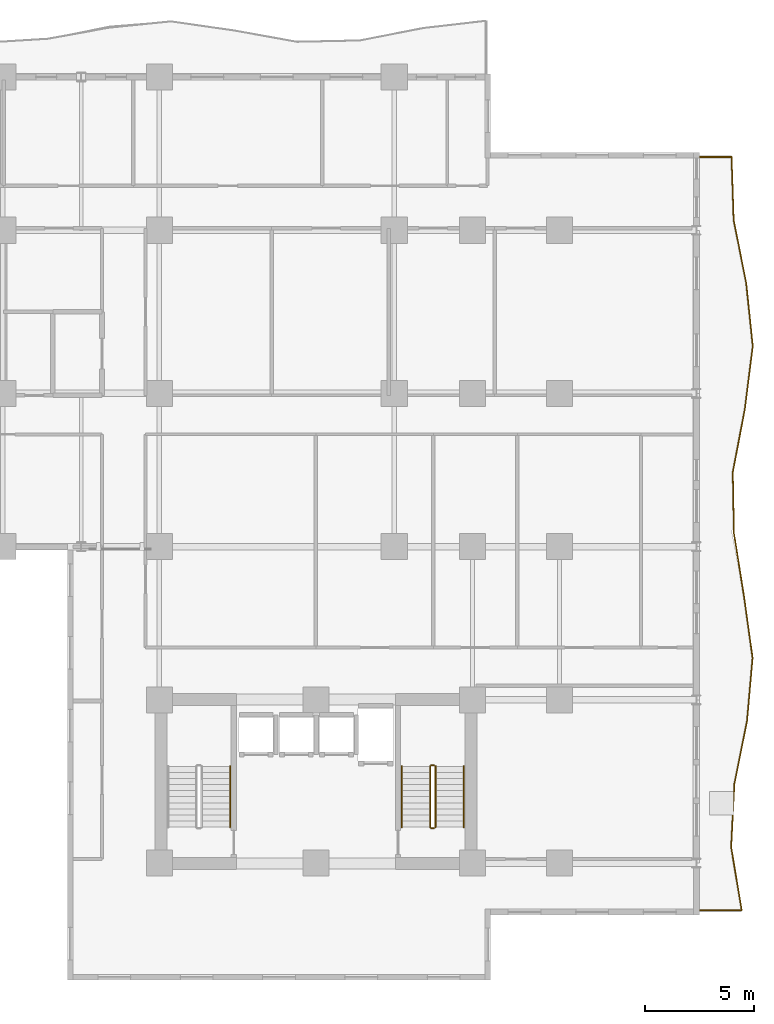
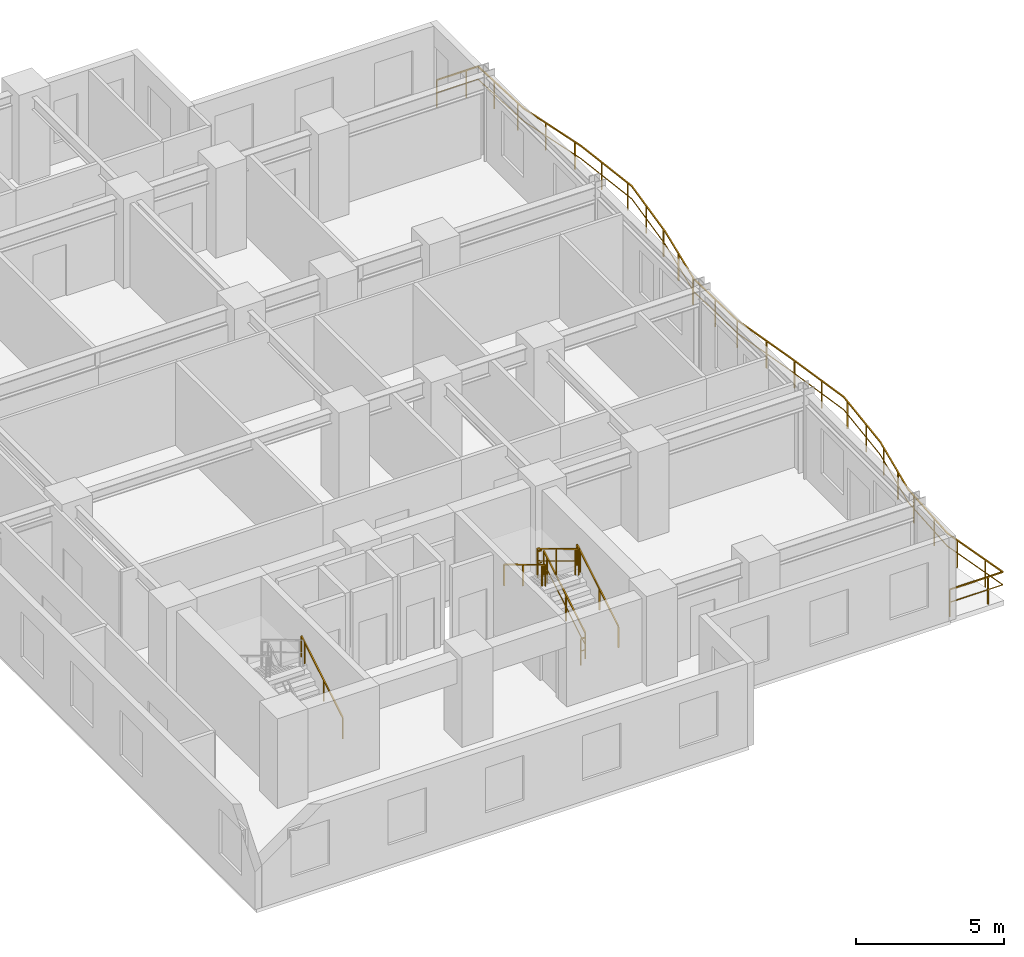
# One storey, part 10 of 11: 8 railings.
"""IFC4 building model written with IfcOpenShell, lengths in metres."""

from ifc_helpers import new_model, si_unit, direction, frame, origin, origin_2d, place, context, subcontext, project, spatial, rectangle, extrude, material, type_object, element, save


model = new_model("IFC4")

# Units and contexts
model_context = context("Model", 3, precision=1e-05, world=origin(), true_north=direction((0.0, 1.0)))
body_context = subcontext(model_context, "Body", "Model", "MODEL_VIEW")
ifc_project = project(units=[si_unit("LENGTHUNIT", "METRE"), si_unit("AREAUNIT", "SQUARE_METRE"), si_unit("VOLUMEUNIT", "CUBIC_METRE"), si_unit("PLANEANGLEUNIT", "RADIAN"), si_unit("MASSUNIT", "GRAM", prefix="KILO")], contexts=[model_context])

# Site, building, storey
site_placement = place(None, origin())
site = spatial("IfcSite", under=ifc_project, at=site_placement, CompositionType="ELEMENT")
building_placement = place(site_placement, origin())
building = spatial("IfcBuilding", under=site, at=building_placement, Name="Kaliganga Portal Commons", CompositionType="ELEMENT")
storey_placement = place(building_placement, frame((0.0, 0.0, 111.89990234375)))
storey = spatial("IfcBuildingStorey", under=building, at=storey_placement, Name="L28", CompositionType="ELEMENT", Elevation=111.89990234375)

# Railings
ifc_material_1 = material(Name="Laminated Safety Glass and Stainless Steel 316", Category="steel")
railing_type_1 = type_object("IfcRailingType", Name="RLG-BAL-1150", PredefinedType="BALUSTRADE", material=ifc_material_1)
railing_1_placement = place(storey_placement, frame((60.7080078125, 4.879638671875, 0.0)))
element("IfcRailing", 1, at=railing_1_placement, inside=storey, type_object=railing_type_1, Name="Balcony Guardrail L28 balc_east", PredefinedType="BALUSTRADE", context=body_context, shape_type="SweptSolid", body=[
    extrude(rectangle(XDim=0.048095703125, YDim=0.048095703125, at=origin_2d()), frame((0.0, 0.0, 1.1259765625), z_axis=(0.999999993065, 0.000117771758, 0.0), x_axis=(-0.000117771758, 0.999999993065, 0.0)), (0.0, 0.0, 1.0), 2.072998046875),
    extrude(rectangle(XDim=0.028076171875, YDim=0.028076171875, at=origin_2d()), frame((0.0, 0.0, 0.597900390625), z_axis=(0.999999993065, 0.000117771758, 0.0), x_axis=(-0.000117771758, 0.999999993065, 0.0)), (0.0, 0.0, 1.0), 2.072998046875),
    extrude(rectangle(XDim=0.048095703125, YDim=0.048095703125, at=origin_2d()), frame((2.072998046875, 0.000244140625, 1.1259765625), z_axis=(-0.164250862083, 0.986418599939, 0.0), x_axis=(-0.986418599939, -0.164250862083, 0.0)), (0.0, 0.0, 1.0), 2.940185546875),
    extrude(rectangle(XDim=0.028076171875, YDim=0.028076171875, at=origin_2d()), frame((2.072998046875, 0.000244140625, 0.597900390625), z_axis=(-0.164250862083, 0.986418599939, 0.0), x_axis=(-0.986418599939, -0.164250862083, 0.0)), (0.0, 0.0, 1.0), 2.940185546875),
    extrude(rectangle(XDim=0.048095703125, YDim=0.048095703125, at=origin_2d()), frame((1.590087890625, 2.900390625, 1.1259765625), z_axis=(0.050281493622, 0.998735085695, 0.0), x_axis=(-0.998735085695, 0.050281493622, 0.0)), (0.0, 0.0, 1.0), 2.903564453125),
    extrude(rectangle(XDim=0.028076171875, YDim=0.028076171875, at=origin_2d()), frame((1.590087890625, 2.900390625, 0.597900390625), z_axis=(0.050281493622, 0.998735085695, 0.0), x_axis=(-0.998735085695, 0.050281493622, 0.0)), (0.0, 0.0, 1.0), 2.903564453125),
    extrude(rectangle(XDim=0.048095703125, YDim=0.048095703125, at=origin_2d()), frame((1.736083984375, 5.80029296875, 1.1259765625), z_axis=(0.196862129019, 0.980431181755, 0.0), x_axis=(-0.980431181755, 0.196862129019, 0.0)), (0.0, 0.0, 1.0), 2.957763671875),
    extrude(rectangle(XDim=0.028076171875, YDim=0.028076171875, at=origin_2d()), frame((1.736083984375, 5.80029296875, 0.597900390625), z_axis=(0.196862129019, 0.980431181755, 0.0), x_axis=(-0.980431181755, 0.196862129019, 0.0)), (0.0, 0.0, 1.0), 2.957763671875),
    extrude(rectangle(XDim=0.048095703125, YDim=0.048095703125, at=origin_2d()), frame((2.318359375, 8.7001953125, 1.1259765625), z_axis=(0.08815328178, 0.996106921425, 0.0), x_axis=(-0.996106921425, 0.08815328178, 0.0)), (0.0, 0.0, 1.0), 2.91064453125),
    extrude(rectangle(XDim=0.028076171875, YDim=0.028076171875, at=origin_2d()), frame((2.318359375, 8.7001953125, 0.597900390625), z_axis=(0.08815328178, 0.996106921425, 0.0), x_axis=(-0.996106921425, 0.08815328178, 0.0)), (0.0, 0.0, 1.0), 2.91064453125),
    extrude(rectangle(XDim=0.048095703125, YDim=0.048095703125, at=origin_2d()), frame((2.574951171875, 11.599609375, 1.1259765625), z_axis=(-0.138245485222, 0.990397993645, 0.0), x_axis=(-0.990397993645, -0.138245485222, 0.0)), (0.0, 0.0, 1.0), 2.927978515625),
    extrude(rectangle(XDim=0.028076171875, YDim=0.028076171875, at=origin_2d()), frame((2.574951171875, 11.599609375, 0.597900390625), z_axis=(-0.138245485222, 0.990397993645, 0.0), x_axis=(-0.990397993645, -0.138245485222, 0.0)), (0.0, 0.0, 1.0), 2.927978515625),
    extrude(rectangle(XDim=0.048095703125, YDim=0.048095703125, at=origin_2d()), frame((2.170166015625, 14.49951171875, 1.1259765625), z_axis=(-0.158520410639, 0.987355700551, 0.0), x_axis=(-0.987355700551, -0.158520410639, 0.0)), (0.0, 0.0, 1.0), 2.85693359375),
    extrude(rectangle(XDim=0.028076171875, YDim=0.028076171875, at=origin_2d()), frame((2.170166015625, 14.49951171875, 0.597900390625), z_axis=(-0.158520410639, 0.987355700551, 0.0), x_axis=(-0.987355700551, -0.158520410639, 0.0)), (0.0, 0.0, 1.0), 2.85693359375),
    extrude(rectangle(XDim=0.048095703125, YDim=0.048095703125, at=origin_2d()), frame((1.71728515625, 17.3203125, 1.1259765625), z_axis=(-0.018782938097, 0.999823585057, 0.0), x_axis=(-0.999823585057, -0.018782938097, 0.0)), (0.0, 0.0, 1.0), 2.820556640625),
    extrude(rectangle(XDim=0.028076171875, YDim=0.028076171875, at=origin_2d()), frame((1.71728515625, 17.3203125, 0.597900390625), z_axis=(-0.018782938097, 0.999823585057, 0.0), x_axis=(-0.999823585057, -0.018782938097, 0.0)), (0.0, 0.0, 1.0), 2.820556640625),
    extrude(rectangle(XDim=0.048095703125, YDim=0.048095703125, at=origin_2d()), frame((1.664306640625, 20.140380859375, 1.1259765625), z_axis=(0.18728308531, 0.982305983875, 0.0), x_axis=(-0.982305983875, 0.18728308531, 0.0)), (0.0, 0.0, 1.0), 2.95263671875),
    extrude(rectangle(XDim=0.028076171875, YDim=0.028076171875, at=origin_2d()), frame((1.664306640625, 20.140380859375, 0.597900390625), z_axis=(0.18728308531, 0.982305983875, 0.0), x_axis=(-0.982305983875, 0.18728308531, 0.0)), (0.0, 0.0, 1.0), 2.95263671875),
    extrude(rectangle(XDim=0.048095703125, YDim=0.048095703125, at=origin_2d()), frame((2.21728515625, 23.040771484375, 1.1259765625), z_axis=(0.125206592581, 0.99213069158, 0.0), x_axis=(-0.99213069158, 0.125206592581, 0.0)), (0.0, 0.0, 1.0), 2.9228515625),
    extrude(rectangle(XDim=0.028076171875, YDim=0.028076171875, at=origin_2d()), frame((2.21728515625, 23.040771484375, 0.597900390625), z_axis=(0.125206592581, 0.99213069158, 0.0), x_axis=(-0.99213069158, 0.125206592581, 0.0)), (0.0, 0.0, 1.0), 2.9228515625),
    extrude(rectangle(XDim=0.048095703125, YDim=0.048095703125, at=origin_2d()), frame((2.583251953125, 25.940673828125, 1.1259765625), z_axis=(-0.103581923276, 0.994620925363, 0.0), x_axis=(-0.994620925363, -0.103581923276, 0.0)), (0.0, 0.0, 1.0), 2.91552734375),
    extrude(rectangle(XDim=0.028076171875, YDim=0.028076171875, at=origin_2d()), frame((2.583251953125, 25.940673828125, 0.597900390625), z_axis=(-0.103581923276, 0.994620925363, 0.0), x_axis=(-0.994620925363, -0.103581923276, 0.0)), (0.0, 0.0, 1.0), 2.91552734375),
    extrude(rectangle(XDim=0.048095703125, YDim=0.048095703125, at=origin_2d()), frame((2.28125, 28.840576171875, 1.1259765625), z_axis=(-0.195036222129, 0.980796039989, 0.0), x_axis=(-0.980796039989, -0.195036222129, 0.0)), (0.0, 0.0, 1.0), 2.956787109375),
    extrude(rectangle(XDim=0.028076171875, YDim=0.028076171875, at=origin_2d()), frame((2.28125, 28.840576171875, 0.597900390625), z_axis=(-0.195036222129, 0.980796039989, 0.0), x_axis=(-0.980796039989, -0.195036222129, 0.0)), (0.0, 0.0, 1.0), 2.956787109375),
    extrude(rectangle(XDim=0.048095703125, YDim=0.048095703125, at=origin_2d()), frame((1.70458984375, 31.740478515625, 1.1259765625), z_axis=(-0.033740670081, 0.999430621495, 0.0), x_axis=(-0.999430621495, -0.033740670081, 0.0)), (0.0, 0.0, 1.0), 2.901611328125),
    extrude(rectangle(XDim=0.028076171875, YDim=0.028076171875, at=origin_2d()), frame((1.70458984375, 31.740478515625, 0.597900390625), z_axis=(-0.033740670081, 0.999430621495, 0.0), x_axis=(-0.999430621495, -0.033740670081, 0.0)), (0.0, 0.0, 1.0), 2.901611328125),
    extrude(rectangle(XDim=0.048095703125, YDim=0.048095703125, at=origin_2d()), frame((1.606689453125, 34.640380859375, 1.1259765625), z_axis=(-0.999999953821, 0.000303905168, 0.0), x_axis=(-0.000303905168, -0.999999953821, 0.0)), (0.0, 0.0, 1.0), 1.606689453125),
    extrude(rectangle(XDim=0.028076171875, YDim=0.028076171875, at=origin_2d()), frame((1.606689453125, 34.640380859375, 0.597900390625), z_axis=(-0.999999953821, 0.000303905168, 0.0), x_axis=(-0.000303905168, -0.999999953821, 0.0)), (0.0, 0.0, 1.0), 1.606689453125),
    extrude(rectangle(XDim=0.0419921875, YDim=0.0419921875, at=origin_2d()), origin(), (0.0, 0.0, 1.0), 1.101806640625),
    extrude(rectangle(XDim=0.0419921875, YDim=0.0419921875, at=origin_2d()), frame((1.5, 0.000244140625, 0.0)), (0.0, 0.0, 1.0), 1.101806640625),
    extrude(rectangle(XDim=0.0419921875, YDim=0.0419921875, at=origin_2d()), frame((1.920654296875, 0.91455078125, 0.0)), (0.0, 0.0, 1.0), 1.101806640625),
    extrude(rectangle(XDim=0.0419921875, YDim=0.0419921875, at=origin_2d()), frame((1.67431640625, 2.394287109375, 0.0)), (0.0, 0.0, 1.0), 1.101806640625),
    extrude(rectangle(XDim=0.0419921875, YDim=0.0419921875, at=origin_2d()), frame((1.6396484375, 3.885986328125, 0.0)), (0.0, 0.0, 1.0), 1.101806640625),
    extrude(rectangle(XDim=0.0419921875, YDim=0.0419921875, at=origin_2d()), frame((1.715087890625, 5.38427734375, 0.0)), (0.0, 0.0, 1.0), 1.101806640625),
    extrude(rectangle(XDim=0.0419921875, YDim=0.0419921875, at=origin_2d()), frame((1.949462890625, 6.862548828125, 0.0)), (0.0, 0.0, 1.0), 1.101806640625),
    extrude(rectangle(XDim=0.0419921875, YDim=0.0419921875, at=origin_2d()), frame((2.24462890625, 8.3330078125, 0.0)), (0.0, 0.0, 1.0), 1.101806640625),
    extrude(rectangle(XDim=0.0419921875, YDim=0.0419921875, at=origin_2d()), frame((2.41748046875, 9.8212890625, 0.0)), (0.0, 0.0, 1.0), 1.101806640625),
    extrude(rectangle(XDim=0.0419921875, YDim=0.0419921875, at=origin_2d()), frame((2.5498046875, 11.3154296875, 0.0)), (0.0, 0.0, 1.0), 1.101806640625),
    extrude(rectangle(XDim=0.0419921875, YDim=0.0419921875, at=origin_2d()), frame((2.406982421875, 12.802734375, 0.0)), (0.0, 0.0, 1.0), 1.101806640625),
    extrude(rectangle(XDim=0.0419921875, YDim=0.0419921875, at=origin_2d()), frame((2.19970703125, 14.288330078125, 0.0)), (0.0, 0.0, 1.0), 1.101806640625),
    extrude(rectangle(XDim=0.0419921875, YDim=0.0419921875, at=origin_2d()), frame((1.966064453125, 15.77001953125, 0.0)), (0.0, 0.0, 1.0), 1.101806640625),
    extrude(rectangle(XDim=0.0419921875, YDim=0.0419921875, at=origin_2d()), frame((1.71728515625, 17.3203125, 0.0)), (0.0, 0.0, 1.0), 1.101806640625),
    extrude(rectangle(XDim=0.0419921875, YDim=0.0419921875, at=origin_2d()), frame((1.6904296875, 18.75, 0.0)), (0.0, 0.0, 1.0), 1.101806640625),
    extrude(rectangle(XDim=0.0419921875, YDim=0.0419921875, at=origin_2d()), frame((1.684814453125, 20.247802734375, 0.0)), (0.0, 0.0, 1.0), 1.101806640625),
    extrude(rectangle(XDim=0.0419921875, YDim=0.0419921875, at=origin_2d()), frame((1.9658203125, 21.72119140625, 0.0)), (0.0, 0.0, 1.0), 1.101806640625),
    extrude(rectangle(XDim=0.0419921875, YDim=0.0419921875, at=origin_2d()), frame((2.23681640625, 23.1962890625, 0.0)), (0.0, 0.0, 1.0), 1.101806640625),
    extrude(rectangle(XDim=0.0419921875, YDim=0.0419921875, at=origin_2d()), frame((2.4248046875, 24.684326171875, 0.0)), (0.0, 0.0, 1.0), 1.101806640625),
    extrude(rectangle(XDim=0.0419921875, YDim=0.0419921875, at=origin_2d()), frame((2.55908203125, 26.173095703125, 0.0)), (0.0, 0.0, 1.0), 1.101806640625),
    extrude(rectangle(XDim=0.0419921875, YDim=0.0419921875, at=origin_2d()), frame((2.403564453125, 27.6650390625, 0.0)), (0.0, 0.0, 1.0), 1.101806640625),
    extrude(rectangle(XDim=0.0419921875, YDim=0.0419921875, at=origin_2d()), frame((2.21923828125, 29.152587890625, 0.0)), (0.0, 0.0, 1.0), 1.101806640625),
    extrude(rectangle(XDim=0.0419921875, YDim=0.0419921875, at=origin_2d()), frame((1.9267578125, 30.623779296875, 0.0)), (0.0, 0.0, 1.0), 1.101806640625),
    extrude(rectangle(XDim=0.0419921875, YDim=0.0419921875, at=origin_2d()), frame((1.6923828125, 32.101806640625, 0.0)), (0.0, 0.0, 1.0), 1.101806640625),
    extrude(rectangle(XDim=0.0419921875, YDim=0.0419921875, at=origin_2d()), frame((1.641845703125, 33.600830078125, 0.0)), (0.0, 0.0, 1.0), 1.101806640625),
    extrude(rectangle(XDim=0.0419921875, YDim=0.0419921875, at=origin_2d()), frame((1.146728515625, 34.640625, 0.0)), (0.0, 0.0, 1.0), 1.101806640625),
    extrude(rectangle(XDim=0.0419921875, YDim=0.0419921875, at=origin_2d()), frame((0.0, 34.640869140625, 0.0)), (0.0, 0.0, 1.0), 1.101806640625),
])
ifc_material_2 = material(Name="Galvanized Painted Steel Balustrade", Category="steel")
railing_type_2 = type_object("IfcRailingType", Name="RLG-STAIR-GRD", PredefinedType="GUARDRAIL", material=ifc_material_2)
railing_2_placement = place(storey_placement, frame((48.699951171875, 8.699951171875, 0.168212890625)))
element("IfcRailing", 2, at=railing_2_placement, inside=storey, type_object=railing_type_2, Name="L28 ST-B2 stair guard 1", PredefinedType="GUARDRAIL", context=body_context, shape_type="SweptSolid", body=[
    extrude(rectangle(XDim=0.048095703125, YDim=0.048095703125, at=origin_2d()), frame((0.0, 0.0, 1.072021484375), z_axis=(0.0, 0.857242210791, 0.514913383045), x_axis=(-1.0, 0.0, 0.0)), (0.0, 0.0, 1.0), 3.266357421875),
    extrude(rectangle(XDim=0.028076171875, YDim=0.028076171875, at=origin_2d()), frame((0.0, 0.0, 0.572021484375), z_axis=(0.0, 0.857242210791, 0.514913383045), x_axis=(-1.0, 0.0, 0.0)), (0.0, 0.0, 1.0), 3.266357421875),
    extrude(rectangle(XDim=0.0419921875, YDim=0.0419921875, at=origin_2d()), origin(), (0.0, 0.0, 1.0), 1.052001953125),
    extrude(rectangle(XDim=0.0419921875, YDim=0.0419921875, at=origin_2d()), frame((0.0, 1.285888671875, 0.7724609375)), (0.0, 0.0, 1.0), 1.052001953125),
    extrude(rectangle(XDim=0.0419921875, YDim=0.0419921875, at=origin_2d()), frame((0.0, 2.57177734375, 1.544677734375)), (0.0, 0.0, 1.0), 1.052001953125),
    extrude(rectangle(XDim=0.0419921875, YDim=0.0419921875, at=origin_2d()), frame((0.0, 2.800048828125, 1.681884765625)), (0.0, 0.0, 1.0), 1.052001953125),
])
railing_3_placement = place(storey_placement, frame((48.64990234375, 11.550048828125, 1.85009765625)))
element("IfcRailing", 3, at=railing_3_placement, inside=storey, type_object=railing_type_2, Name="L28 ST-B2 stair guard 2", PredefinedType="GUARDRAIL", context=body_context, shape_type="SweptSolid", body=[
    extrude(rectangle(XDim=0.048095703125, YDim=0.048095703125, at=origin_2d()), frame((0.0, 0.0, 1.076171875), z_axis=(-1.0, 0.0, 0.0), x_axis=(0.0, -1.0, 0.0)), (0.0, 0.0, 1.0), 0.14990234375),
    extrude(rectangle(XDim=0.028076171875, YDim=0.028076171875, at=origin_2d()), frame((0.0, 0.0, 0.572021484375), z_axis=(-1.0, 0.0, 0.0), x_axis=(0.0, -1.0, 0.0)), (0.0, 0.0, 1.0), 0.14990234375),
    extrude(rectangle(XDim=0.0419921875, YDim=0.0419921875, at=origin_2d()), frame((-0.14990234375, 0.0, 0.0)), (0.0, 0.0, 1.0), 1.052001953125),
])
railing_4_placement = place(storey_placement, frame((48.449951171875, 11.5, 2.018310546875)))
element("IfcRailing", 4, at=railing_4_placement, inside=storey, type_object=railing_type_2, Name="L28 ST-B2 stair guard 3", PredefinedType="GUARDRAIL", context=body_context, shape_type="SweptSolid", body=[
    extrude(rectangle(XDim=0.048095703125, YDim=0.048095703125, at=origin_2d()), frame((0.0, 0.0, 1.072021484375), z_axis=(0.0, -0.857242210791, 0.514913383045), x_axis=(1.0, 0.0, 0.0)), (0.0, 0.0, 1.0), 3.266357421875),
    extrude(rectangle(XDim=0.028076171875, YDim=0.028076171875, at=origin_2d()), frame((0.0, 0.0, 0.572021484375), z_axis=(0.0, -0.857242210791, 0.514913383045), x_axis=(1.0, 0.0, 0.0)), (0.0, 0.0, 1.0), 3.266357421875),
    extrude(rectangle(XDim=0.0419921875, YDim=0.0419921875, at=origin_2d()), origin(), (0.0, 0.0, 1.0), 1.052001953125),
    extrude(rectangle(XDim=0.0419921875, YDim=0.0419921875, at=origin_2d()), frame((0.0, -1.285888671875, 0.7724609375)), (0.0, 0.0, 1.0), 1.052001953125),
    extrude(rectangle(XDim=0.0419921875, YDim=0.0419921875, at=origin_2d()), frame((0.0, -2.57177734375, 1.544677734375)), (0.0, 0.0, 1.0), 1.052001953125),
    extrude(rectangle(XDim=0.0419921875, YDim=0.0419921875, at=origin_2d()), frame((0.0, -2.800048828125, 1.681884765625)), (0.0, 0.0, 1.0), 1.052001953125),
])
railing_5_placement = place(storey_placement, frame((48.64990234375, 8.64990234375, 0.0)))
element("IfcRailing", 5, at=railing_5_placement, inside=storey, type_object=railing_type_2, Name="L28 ST-B2 stair guard 4", PredefinedType="GUARDRAIL", context=body_context, shape_type="SweptSolid", body=[
    extrude(rectangle(XDim=0.048095703125, YDim=0.048095703125, at=origin_2d()), frame((0.0, 0.0, 1.076171875), z_axis=(-1.0, 0.0, 0.0), x_axis=(0.0, -1.0, 0.0)), (0.0, 0.0, 1.0), 0.14990234375),
    extrude(rectangle(XDim=0.028076171875, YDim=0.028076171875, at=origin_2d()), frame((0.0, 0.0, 0.572021484375), z_axis=(-1.0, 0.0, 0.0), x_axis=(0.0, -1.0, 0.0)), (0.0, 0.0, 1.0), 0.14990234375),
    extrude(rectangle(XDim=0.0419921875, YDim=0.0419921875, at=origin_2d()), frame((-0.14990234375, 0.0, 0.0)), (0.0, 0.0, 1.0), 1.052001953125),
])
ifc_material_3 = material(Name="Brushed Stainless Steel 316", Category="steel")
railing_type_3 = type_object("IfcRailingType", Name="RLG-STAIR-HR", PredefinedType="HANDRAIL", material=ifc_material_3)
for number, where, name in (
    (6, (39.25, 8.699951171875, 0.168212890625), "L28 ST-B1 stair handrail 1"),
    (7, (50.0, 8.699951171875, 0.168212890625), "L28 ST-B2 stair handrail 1"),
):
    element("IfcRailing", number, at=place(storey_placement, frame(where)), inside=storey, type_object=railing_type_3, Name=name, PredefinedType="HANDRAIL", context=body_context, shape_type="SweptSolid", body=[
        extrude(rectangle(XDim=0.048095703125, YDim=0.048095703125, at=origin_2d()), frame((0.0, 0.0, 0.871826171875), z_axis=(0.0, 0.857242210791, 0.514913383045), x_axis=(-1.0, 0.0, 0.0)), (0.0, 0.0, 1.0), 3.266357421875),
        extrude(rectangle(XDim=0.0419921875, YDim=0.0419921875, at=origin_2d()), origin(), (0.0, 0.0, 1.0), 0.851806640625),
        extrude(rectangle(XDim=0.0419921875, YDim=0.0419921875, at=origin_2d()), frame((0.0, 1.285888671875, 0.7724609375)), (0.0, 0.0, 1.0), 0.851806640625),
        extrude(rectangle(XDim=0.0419921875, YDim=0.0419921875, at=origin_2d()), frame((0.0, 2.57177734375, 1.544677734375)), (0.0, 0.0, 1.0), 0.851806640625),
        extrude(rectangle(XDim=0.0419921875, YDim=0.0419921875, at=origin_2d()), frame((0.0, 2.800048828125, 1.681884765625)), (0.0, 0.0, 1.0), 0.851806640625),
    ])
railing_6_placement = place(storey_placement, frame((47.14990234375, 11.5, 2.018310546875)))
element("IfcRailing", 8, at=railing_6_placement, inside=storey, type_object=railing_type_3, Name="L28 ST-B2 stair handrail 2", PredefinedType="HANDRAIL", context=body_context, shape_type="SweptSolid", body=[
    extrude(rectangle(XDim=0.048095703125, YDim=0.048095703125, at=origin_2d()), frame((0.0, 0.0, 0.871826171875), z_axis=(0.0, -0.857242210791, 0.514913383045), x_axis=(1.0, 0.0, 0.0)), (0.0, 0.0, 1.0), 3.266357421875),
    extrude(rectangle(XDim=0.0419921875, YDim=0.0419921875, at=origin_2d()), origin(), (0.0, 0.0, 1.0), 0.851806640625),
    extrude(rectangle(XDim=0.0419921875, YDim=0.0419921875, at=origin_2d()), frame((0.0, -1.285888671875, 0.7724609375)), (0.0, 0.0, 1.0), 0.851806640625),
    extrude(rectangle(XDim=0.0419921875, YDim=0.0419921875, at=origin_2d()), frame((0.0, -2.57177734375, 1.544677734375)), (0.0, 0.0, 1.0), 0.851806640625),
    extrude(rectangle(XDim=0.0419921875, YDim=0.0419921875, at=origin_2d()), frame((0.0, -2.800048828125, 1.681884765625)), (0.0, 0.0, 1.0), 0.851806640625),
])

save(model, "model.ifc")
